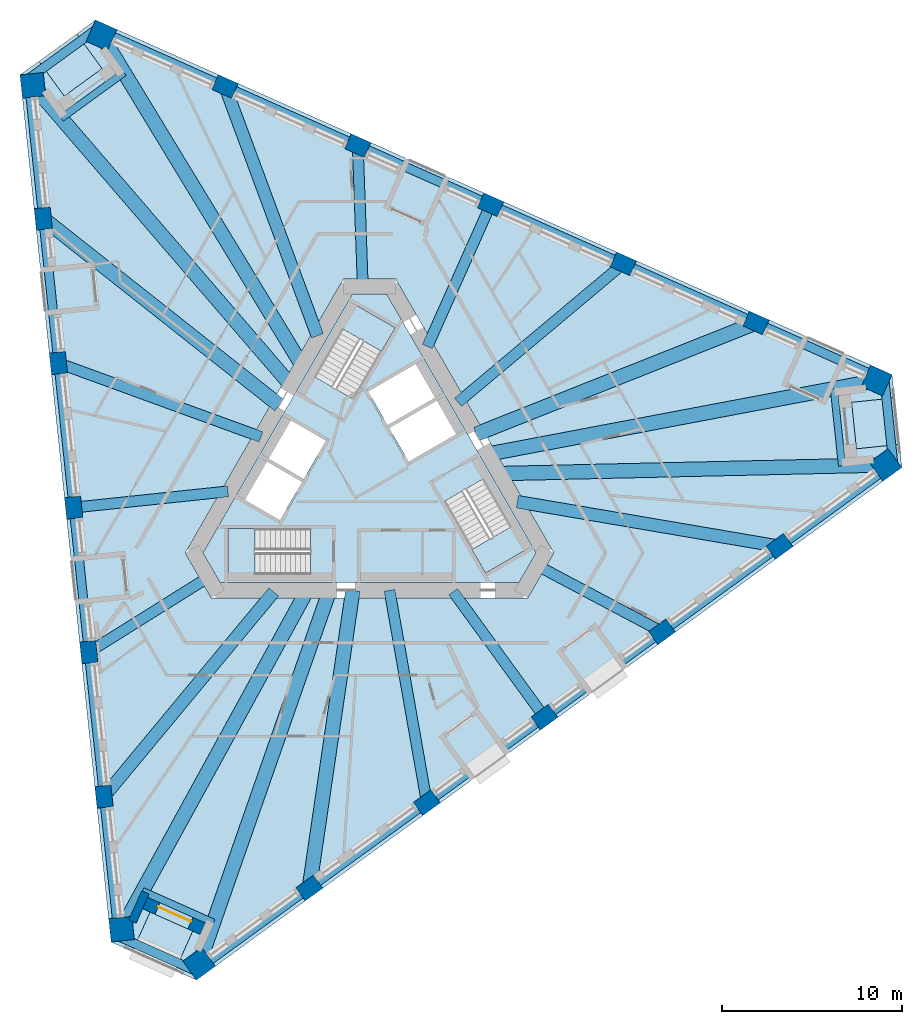
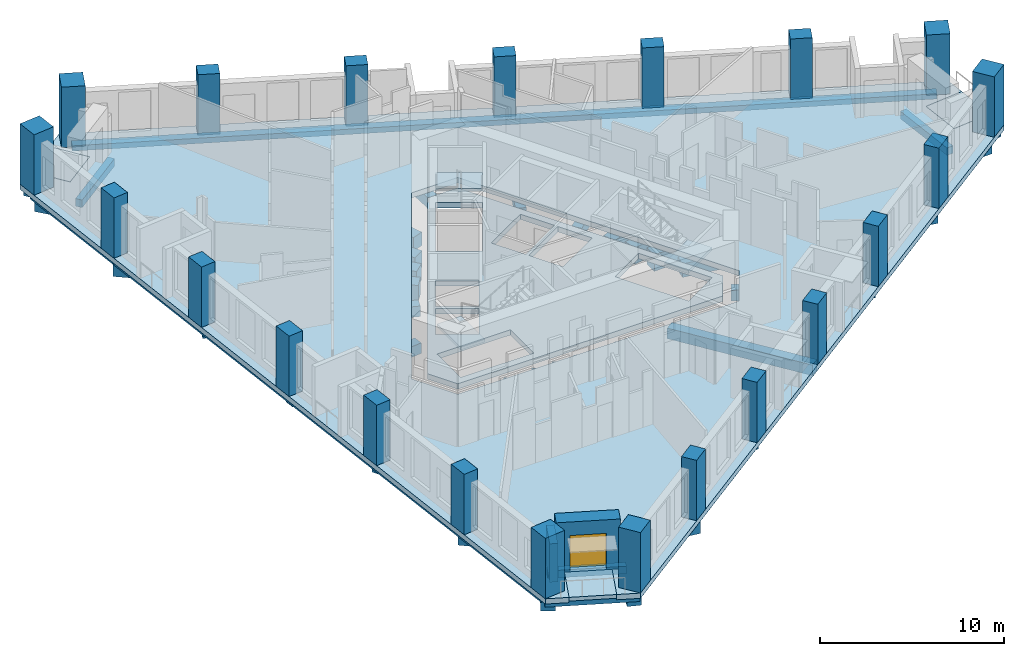
# One storey, part 1 of 14: 30 beams, 21 columns, 8 slabs, 2 walls, 1 door, 1 opening, 3 elements without a shape of their own.
"""IFC4 building model written with IfcOpenShell, lengths in metres."""

from ifc_helpers import new_model, si_unit, direction, frame, frame_2d, origin, origin_2d, place, context, subcontext, project, spatial, polyline, rectangle, outline, extrude, material, layer, layer_set, material_profile, profile_set, type_object, element, fill, aggregate, save


model = new_model("IFC4")

# Units and contexts
model_context = context("Model", 3, precision=1e-05, world=origin(), true_north=direction((0.0, 1.0)))
body_context = subcontext(model_context, "Body", "Model", "MODEL_VIEW")
ifc_project = project(units=[si_unit("LENGTHUNIT", "METRE"), si_unit("AREAUNIT", "SQUARE_METRE"), si_unit("VOLUMEUNIT", "CUBIC_METRE"), si_unit("PLANEANGLEUNIT", "RADIAN"), si_unit("MASSUNIT", "GRAM", prefix="KILO")], contexts=[model_context])

# Site, building, storey
site_placement = place(None, origin())
site = spatial("IfcSite", under=ifc_project, at=site_placement, CompositionType="ELEMENT")
building_placement = place(site_placement, origin())
building = spatial("IfcBuilding", under=site, at=building_placement, Name="Tramontana Tower", CompositionType="ELEMENT")
storey_placement = place(building_placement, frame((0.0, 0.0, 178.800048828125)))
storey = spatial("IfcBuildingStorey", under=building, at=storey_placement, Name="L41", CompositionType="ELEMENT", Elevation=178.800048828125)

# Columns
ifc_material_1 = material(Name="Concrete 55 MPa", Category="concrete")
ifc_material_profile_1 = material_profile(ifc_material_1, rectangle(XDim=1.300048828125, YDim=1.300048828125, at=origin_2d()), Name="Mega column 1300X1300 55 MPa")
ifc_profile_set_1 = profile_set([ifc_material_profile_1], Name="Concrete 55 MPa")
column_type_1 = type_object("IfcColumnType", Name="Mega column 1300X1300 55 MPa", PredefinedType="COLUMN", material=ifc_profile_set_1)
for number, where, z_axis, x_axis, name in (
    (1, (-18.72705078125, 21.760498046875, 0.0), (0.0, 0.0, 1.0), (0.104528463268, -0.994521895368, 0.0), "Mega column C4K1 L41"),
    (2, (-13.793701171875, -25.178466796875, 0.0), (0.0, 0.0, 1.0), (0.104528463268, -0.994521895368, 0.0), "Mega column C4K2 L41"),
    (3, (-9.4814453125, -27.098388671875, 0.0), (0.0, 0.0, 1.0), (0.809016994375, 0.587785252292, 0.0), "Mega column C4K3 L41"),
    (4, (28.7021484375, 0.6435546875, 0.0), (0.0, 0.0, 1.0), (0.809016994375, 0.587785252292, 0.0), "Mega column C4K4 L41"),
    (5, (28.208740234375, 5.337890625, 0.0), (0.0, 0.0, 1.0), (-0.913545457643, 0.406736643076, 0.0), "Mega column C4K5 L41"),
    (6, (-14.908447265625, 24.534912109375, 0.0), (0.0, 0.0, 1.0), (-0.913545457643, 0.406736643076, 0.0), "Mega column C4K6 L41"),
):
    element("IfcColumn", number, at=place(storey_placement, frame(where, z_axis=z_axis, x_axis=x_axis)), inside=storey, type_object=column_type_1, Name=name, PredefinedType="COLUMN", context=body_context, shape_type="SweptSolid", body=[
        extrude(rectangle(XDim=1.300048828125, YDim=1.300048828125, at=origin_2d()), origin(), (0.0, 0.0, 1.0), 4.0),
    ])
ifc_material_2 = material(Name="Concrete 55 MPa", Category="concrete")
ifc_material_profile_2 = material_profile(ifc_material_2, rectangle(XDim=1.199951171875, YDim=0.89990234375, at=origin_2d()), Name="Pier column 1200X900 55 MPa")
ifc_profile_set_2 = profile_set([ifc_material_profile_2], Name="Concrete 55 MPa")
column_type_2 = type_object("IfcColumnType", Name="Pier column 1200X900 55 MPa", PredefinedType="COLUMN", material=ifc_profile_set_2)
for number, where, z_axis, x_axis, name in (
    (7, (-18.149169921875, 14.347412109375, 0.0), (0.0, 0.0, 1.0), (0.104528463268, -0.994521895368, 0.0), "Pier column C4F01 L41"),
    (8, (-17.30419921875, 6.30859375, 0.0), (0.0, 0.0, 1.0), (0.104528463268, -0.994521895368, 0.0), "Pier column C4F02 L41"),
    (9, (-16.459228515625, -1.72998046875, 0.0), (0.0, 0.0, 1.0), (0.104528463268, -0.994521895368, 0.0), "Pier column C4F03 L41"),
    (10, (-15.614501953125, -9.7685546875, 0.0), (0.0, 0.0, 1.0), (0.104528463268, -0.994521895368, 0.0), "Pier column C4F04 L41"),
    (11, (-14.76953125, -17.80712890625, 0.0), (0.0, 0.0, 1.0), (0.104528463268, -0.994521895368, 0.0), "Pier column C4F05 L41"),
    (12, (-3.3505859375, -22.891357421875, 0.0), (0.0, 0.0, 1.0), (0.809016994375, 0.587785252292, 0.0), "Pier column C4F06 L41"),
    (13, (3.188720703125, -18.14013671875, 0.0), (0.0, 0.0, 1.0), (0.809016994375, 0.587785252292, 0.0), "Pier column C4F07 L41"),
    (14, (9.727783203125, -13.38916015625, 0.0), (0.0, 0.0, 1.0), (0.809016994375, 0.587785252292, 0.0), "Pier column C4F08 L41"),
    (15, (16.26708984375, -8.63818359375, 0.0), (0.0, 0.0, 1.0), (0.809016994375, 0.587785252292, 0.0), "Pier column C4F09 L41"),
    (16, (22.80615234375, -3.88720703125, 0.0), (0.0, 0.0, 1.0), (0.809016994375, 0.587785252292, 0.0), "Pier column C4F10 L41"),
    (17, (21.499755859375, 8.5439453125, 0.0), (0.0, 0.0, 1.0), (-0.913545457643, 0.406736643076, 0.0), "Pier column C4F11 L41"),
    (18, (14.115478515625, 11.83154296875, 0.0), (0.0, 0.0, 1.0), (-0.913545457643, 0.406736643076, 0.0), "Pier column C4F12 L41"),
    (19, (6.7314453125, 15.119140625, 0.0), (0.0, 0.0, 1.0), (-0.913545457643, 0.406736643076, 0.0), "Pier column C4F13 L41"),
    (20, (-0.652587890625, 18.40673828125, 0.0), (0.0, 0.0, 1.0), (-0.913545457643, 0.406736643076, 0.0), "Pier column C4F14 L41"),
    (21, (-8.03662109375, 21.6943359375, 0.0), (0.0, 0.0, 1.0), (-0.913545457643, 0.406736643076, 0.0), "Pier column C4F15 L41"),
):
    element("IfcColumn", number, at=place(storey_placement, frame(where, z_axis=z_axis, x_axis=x_axis)), inside=storey, type_object=column_type_2, Name=name, PredefinedType="COLUMN", context=body_context, shape_type="SweptSolid", body=[
        extrude(rectangle(XDim=1.199951171875, YDim=0.89990234375, at=origin_2d()), origin(), (0.0, 0.0, 1.0), 4.0),
    ])

# Beams
ifc_material_3 = material(Name="Concrete 40 MPa", Category="concrete")
ifc_material_profile_3 = material_profile(ifc_material_3, rectangle(XDim=0.5, YDim=0.35009765625, at=origin_2d()), Name="RC EDGE BEAM 500X350 40 MPa")
ifc_profile_set_3 = profile_set([ifc_material_profile_3], Name="Concrete 40 MPa")
beam_type_1 = type_object("IfcBeamType", Name="RC EDGE BEAM 500X350 40 MPa", PredefinedType="SPANDREL", material=ifc_profile_set_3)
for number, where, z_axis, x_axis, name in (
    (22, (-18.926025390625, 21.739501953125, -0.525146484375), (0.104525646884, -0.994522191378, 0.0), (0.994522191378, 0.104525646884, 0.0), "Spandrel beam S0 L41"),
    (23, (-9.364013671875, -27.26025390625, -0.525146484375), (0.809017612716, 0.587784401218, 0.0), (-0.587784401218, 0.809017612716, 0.0), "Spandrel beam S1 L41"),
):
    element("IfcBeam", number, at=place(storey_placement, frame(where, z_axis=z_axis, x_axis=x_axis)), inside=storey, type_object=beam_type_1, Name=name, PredefinedType="SPANDREL", context=body_context, shape_type="SweptSolid", body=[
        extrude(rectangle(XDim=0.5, YDim=0.35009765625, at=origin_2d()), origin(), (0.0, 0.0, 1.0), 47.197509765625),
    ])
beam_1_placement = place(storey_placement, frame((28.2900390625, 5.520751953125, -0.525146484375), z_axis=(-0.913546423332, 0.406734474095, 0.0), x_axis=(-0.406734474095, -0.913546423332, 0.0)))
element("IfcBeam", 24, at=beam_1_placement, inside=storey, type_object=beam_type_1, Name="Spandrel beam S2 L41", PredefinedType="SPANDREL", context=body_context, shape_type="SweptSolid", body=[
    extrude(rectangle(XDim=0.5, YDim=0.35009765625, at=origin_2d()), origin(), (0.0, 0.0, 1.0), 47.197265625),
])
beam_2_placement = place(storey_placement, frame((-14.973388671875, 25.029052734375, -0.525146484375), z_axis=(-0.809008263593, -0.587797268995, 0.0), x_axis=(0.587797268995, -0.809008263593, 0.0)))
element("IfcBeam", 25, at=beam_2_placement, inside=storey, type_object=beam_type_1, Name="Spandrel beam K0 L41", PredefinedType="SPANDREL", context=body_context, shape_type="SweptSolid", body=[
    extrude(rectangle(XDim=0.5, YDim=0.35009765625, at=origin_2d()), origin(), (0.0, 0.0, 1.0), 5.196044921875),
])
for number, where, z_axis, x_axis, name in (
    (26, (-14.189208984375, -25.481689453125, -0.525146484375), (0.91354592127, -0.40673560175, 0.0), (0.40673560175, 0.91354592127, 0.0), "Spandrel beam K1 L41"),
    (27, (29.162353515625, 0.45263671875, -0.525146484375), (-0.104494011766, 0.994525515764, 0.0), (-0.994525515764, -0.104494011766, 0.0), "Spandrel beam K2 L41"),
):
    element("IfcBeam", number, at=place(storey_placement, frame(where, z_axis=z_axis, x_axis=x_axis)), inside=storey, type_object=beam_type_1, Name=name, PredefinedType="SPANDREL", context=body_context, shape_type="SweptSolid", body=[
        extrude(rectangle(XDim=0.5, YDim=0.35009765625, at=origin_2d()), origin(), (0.0, 0.0, 1.0), 5.1962890625),
    ])
ifc_material_4 = material(Name="Concrete 40 MPa", Category="concrete")
ifc_material_profile_4 = material_profile(ifc_material_4, rectangle(XDim=0.60009765625, YDim=0.699951171875, at=origin_2d()), Name="RC GIRDER 600X700 40 MPa")
ifc_profile_set_4 = profile_set([ifc_material_profile_4], Name="Concrete 40 MPa")
beam_type_2 = type_object("IfcBeamType", Name="RC GIRDER 600X700 40 MPa", PredefinedType="BEAM", material=ifc_profile_set_4)
beam_3_placement = place(storey_placement, frame((-17.30419921875, 6.30859375, -0.699951171875), z_axis=(0.939513090247, -0.342512997205, 0.0), x_axis=(0.342512997205, 0.939513090247, 0.0)))
element("IfcBeam", 28, at=beam_3_placement, inside=storey, type_object=beam_type_2, Name="Radial girder C4F02 L41", PredefinedType="BEAM", context=body_context, shape_type="SweptSolid", body=[
    extrude(rectangle(XDim=0.60009765625, YDim=0.699951171875, at=origin_2d()), origin(), (0.0, 0.0, 1.0), 11.989990234375),
])
beam_4_placement = place(storey_placement, frame((-16.459228515625, -1.72998046875, -0.699951171875), z_axis=(0.994520630985, 0.104540492367, 0.0), x_axis=(-0.104540492367, 0.994520630985, 0.0)))
element("IfcBeam", 29, at=beam_4_placement, inside=storey, type_object=beam_type_2, Name="Radial girder C4F03 L41", PredefinedType="BEAM", context=body_context, shape_type="SweptSolid", body=[
    extrude(rectangle(XDim=0.60009765625, YDim=0.699951171875, at=origin_2d()), origin(), (0.0, 0.0, 1.0), 8.631591796875),
])
beam_5_placement = place(storey_placement, frame((-15.614501953125, -9.7685546875, -0.699951171875), z_axis=(0.847767192537, 0.530368539091, 0.0), x_axis=(-0.530368539091, 0.847767192537, 0.0)))
element("IfcBeam", 30, at=beam_5_placement, inside=storey, type_object=beam_type_2, Name="Radial girder C4F04 L41", PredefinedType="BEAM", context=body_context, shape_type="SweptSolid", body=[
    extrude(rectangle(XDim=0.60009765625, YDim=0.699951171875, at=origin_2d()), origin(), (0.0, 0.0, 1.0), 7.83642578125),
])
beam_6_placement = place(storey_placement, frame((3.188720703125, -18.14013671875, -0.699951171875), z_axis=(-0.173139447083, 0.984897320467, 0.0), x_axis=(-0.984897320467, -0.173139447083, 0.0)))
element("IfcBeam", 31, at=beam_6_placement, inside=storey, type_object=beam_type_2, Name="Radial girder C4F07 L41", PredefinedType="BEAM", context=body_context, shape_type="SweptSolid", body=[
    extrude(rectangle(XDim=0.60009765625, YDim=0.699951171875, at=origin_2d()), origin(), (0.0, 0.0, 1.0), 11.989990234375),
])
beam_7_placement = place(storey_placement, frame((9.727783203125, -13.38916015625, -0.699951171875), z_axis=(-0.587793224159, 0.809011202415, 0.0), x_axis=(-0.809011202415, -0.587793224159, 0.0)))
element("IfcBeam", 32, at=beam_7_placement, inside=storey, type_object=beam_type_2, Name="Radial girder C4F08 L41", PredefinedType="BEAM", context=body_context, shape_type="SweptSolid", body=[
    extrude(rectangle(XDim=0.60009765625, YDim=0.699951171875, at=origin_2d()), origin(), (0.0, 0.0, 1.0), 8.63134765625),
])
beam_8_placement = place(storey_placement, frame((16.26708984375, -8.63818359375, -0.699951171875), z_axis=(-0.883198396805, 0.468999564905, 0.0), x_axis=(-0.468999564905, -0.883198396805, 0.0)))
element("IfcBeam", 33, at=beam_8_placement, inside=storey, type_object=beam_type_2, Name="Radial girder C4F09 L41", PredefinedType="BEAM", context=body_context, shape_type="SweptSolid", body=[
    extrude(rectangle(XDim=0.60009765625, YDim=0.699951171875, at=origin_2d()), origin(), (0.0, 0.0, 1.0), 7.83642578125),
])
beam_9_placement = place(storey_placement, frame((14.115478515625, 11.83154296875, -0.699951171875), z_axis=(-0.766377147971, -0.642390898961, 0.0), x_axis=(0.642390898961, -0.766377147971, 0.0)))
element("IfcBeam", 34, at=beam_9_placement, inside=storey, type_object=beam_type_2, Name="Radial girder C4F12 L41", PredefinedType="BEAM", context=body_context, shape_type="SweptSolid", body=[
    extrude(rectangle(XDim=0.60009765625, YDim=0.699951171875, at=origin_2d()), origin(), (0.0, 0.0, 1.0), 11.98974609375),
])
beam_10_placement = place(storey_placement, frame((6.7314453125, 15.119140625, -0.699951171875), z_axis=(-0.406736735655, -0.913545416424, 0.0), x_axis=(0.913545416424, -0.406736735655, 0.0)))
element("IfcBeam", 35, at=beam_10_placement, inside=storey, type_object=beam_type_2, Name="Radial girder C4F13 L41", PredefinedType="BEAM", context=body_context, shape_type="SweptSolid", body=[
    extrude(rectangle(XDim=0.60009765625, YDim=0.699951171875, at=origin_2d()), origin(), (0.0, 0.0, 1.0), 8.631591796875),
])
beam_11_placement = place(storey_placement, frame((-0.652587890625, 18.40673828125, -0.699951171875), z_axis=(0.035422608777, -0.999372422467, 0.0), x_axis=(0.999372422467, 0.035422608777, 0.0)))
element("IfcBeam", 36, at=beam_11_placement, inside=storey, type_object=beam_type_2, Name="Radial girder C4F14 L41", PredefinedType="BEAM", context=body_context, shape_type="SweptSolid", body=[
    extrude(rectangle(XDim=0.60009765625, YDim=0.699951171875, at=origin_2d()), origin(), (0.0, 0.0, 1.0), 7.83642578125),
])
ifc_material_5 = material(Name="Concrete 40 MPa", Category="concrete")
ifc_material_profile_5 = material_profile(ifc_material_5, rectangle(XDim=0.699951171875, YDim=0.89990234375, at=origin_2d()), Name="RC GIRDER 700X900 40 MPa")
ifc_profile_set_5 = profile_set([ifc_material_profile_5], Name="Concrete 40 MPa")
beam_type_3 = type_object("IfcBeamType", Name="RC GIRDER 700X900 40 MPa", PredefinedType="BEAM", material=ifc_profile_set_5)
for number, where, z_axis, x_axis, name in (
    (37, (-14.76953125, -17.80712890625, -0.800048828125), (0.638406477844, 0.769699401745, 0.0), (-0.769699401745, 0.638406477844, 0.0), "Radial girder C4F05 L41"),
    (38, (22.806396484375, -3.88720703125, -0.800048828125), (-0.985783673381, 0.168019490821, 0.0), (-0.168019490821, -0.985783673381, 0.0), "Radial girder C4F10 L41"),
    (39, (-8.03662109375, 21.6943359375, -0.800048828125), (0.347381556139, -0.93772386898, 0.0), (0.93772386898, 0.347381556139, 0.0), "Radial girder C4F15 L41"),
):
    element("IfcBeam", number, at=place(storey_placement, frame(where, z_axis=z_axis, x_axis=x_axis)), inside=storey, type_object=beam_type_3, Name=name, PredefinedType="BEAM", context=body_context, shape_type="SweptSolid", body=[
        extrude(rectangle(XDim=0.699951171875, YDim=0.89990234375, at=origin_2d()), origin(), (0.0, 0.0, 1.0), 14.79052734375),
    ])
ifc_material_6 = material(Name="Concrete 40 MPa", Category="concrete")
ifc_material_profile_6 = material_profile(ifc_material_6, rectangle(XDim=0.800048828125, YDim=1.10009765625, at=origin_2d()), Name="RC GIRDER 800X1100 40 MPa")
ifc_profile_set_6 = profile_set([ifc_material_profile_6], Name="Concrete 40 MPa")
beam_type_4 = type_object("IfcBeamType", Name="RC GIRDER 800X1100 40 MPa", PredefinedType="BEAM", material=ifc_profile_set_6)
beam_12_placement = place(storey_placement, frame((-18.727294921875, 21.760498046875, -0.900146484375), z_axis=(0.652300085393, -0.757960816004, 0.0), x_axis=(0.757960816004, 0.652300085393, 0.0)))
element("IfcBeam", 40, at=beam_12_placement, inside=storey, type_object=beam_type_4, Name="Radial girder C4K1 L41", PredefinedType="BEAM", context=body_context, shape_type="SweptSolid", body=[
    extrude(rectangle(XDim=0.800048828125, YDim=1.10009765625, at=origin_2d()), origin(), (0.0, 0.0, 1.0), 21.983154296875),
])
beam_13_placement = place(storey_placement, frame((-18.149169921875, 14.347412109375, -0.900146484375), z_axis=(0.784478628915, -0.620155852005, 0.0), x_axis=(0.620155852005, 0.784478628915, 0.0)))
element("IfcBeam", 41, at=beam_13_placement, inside=storey, type_object=beam_type_4, Name="Radial girder C4F01 L41", PredefinedType="BEAM", context=body_context, shape_type="SweptSolid", body=[
    extrude(rectangle(XDim=0.800048828125, YDim=1.10009765625, at=origin_2d()), origin(), (0.0, 0.0, 1.0), 16.73828125),
])
beam_14_placement = place(storey_placement, frame((-13.793701171875, -25.178466796875, -0.900146484375), z_axis=(0.480462301802, 0.877015379881, 0.0), x_axis=(-0.877015379881, 0.480462301802, 0.0)))
element("IfcBeam", 42, at=beam_14_placement, inside=storey, type_object=beam_type_4, Name="Radial girder C4K2 L41", PredefinedType="BEAM", context=body_context, shape_type="SweptSolid", body=[
    extrude(rectangle(XDim=0.800048828125, YDim=1.10009765625, at=origin_2d()), origin(), (0.0, 0.0, 1.0), 21.437744140625),
])
beam_15_placement = place(storey_placement, frame((-9.4814453125, -27.098388671875, -0.900146484375), z_axis=(0.330256430983, 0.943891248924, 0.0), x_axis=(-0.943891248924, 0.330256430983, 0.0)))
element("IfcBeam", 43, at=beam_15_placement, inside=storey, type_object=beam_type_4, Name="Radial girder C4K3 L41", PredefinedType="BEAM", context=body_context, shape_type="SweptSolid", body=[
    extrude(rectangle(XDim=0.800048828125, YDim=1.10009765625, at=origin_2d()), origin(), (0.0, 0.0, 1.0), 21.98291015625),
])
beam_16_placement = place(storey_placement, frame((-3.3505859375, -22.891357421875, -0.900146484375), z_axis=(0.144822515675, 0.989457648893, 0.0), x_axis=(-0.989457648893, 0.144822515675, 0.0)))
element("IfcBeam", 44, at=beam_16_placement, inside=storey, type_object=beam_type_4, Name="Radial girder C4F06 L41", PredefinedType="BEAM", context=body_context, shape_type="SweptSolid", body=[
    extrude(rectangle(XDim=0.800048828125, YDim=1.10009765625, at=origin_2d()), origin(), (0.0, 0.0, 1.0), 16.73828125),
])
beam_17_placement = place(storey_placement, frame((28.701904296875, 0.6435546875, -0.900146484375), z_axis=(-0.999748807881, -0.022412521973, 0.0), x_axis=(0.022412521973, -0.999748807881, 0.0)))
element("IfcBeam", 45, at=beam_17_placement, inside=storey, type_object=beam_type_4, Name="Radial girder C4K4 L41", PredefinedType="BEAM", context=body_context, shape_type="SweptSolid", body=[
    extrude(rectangle(XDim=0.800048828125, YDim=1.10009765625, at=origin_2d()), origin(), (0.0, 0.0, 1.0), 21.4375),
])
beam_18_placement = place(storey_placement, frame((28.20849609375, 5.337890625, -0.900146484375), z_axis=(-0.982562021037, -0.185935136045, 0.0), x_axis=(0.185935136045, -0.982562021037, 0.0)))
element("IfcBeam", 46, at=beam_18_placement, inside=storey, type_object=beam_type_4, Name="Radial girder C4K5 L41", PredefinedType="BEAM", context=body_context, shape_type="SweptSolid", body=[
    extrude(rectangle(XDim=0.800048828125, YDim=1.10009765625, at=origin_2d()), origin(), (0.0, 0.0, 1.0), 21.98291015625),
])
beam_19_placement = place(storey_placement, frame((21.499755859375, 8.5439453125, -0.900146484375), z_axis=(-0.929307244414, -0.369307521558, 0.0), x_axis=(0.369307521558, -0.929307244414, 0.0)))
element("IfcBeam", 47, at=beam_19_placement, inside=storey, type_object=beam_type_4, Name="Radial girder C4F11 L41", PredefinedType="BEAM", context=body_context, shape_type="SweptSolid", body=[
    extrude(rectangle(XDim=0.800048828125, YDim=1.10009765625, at=origin_2d()), origin(), (0.0, 0.0, 1.0), 16.738525390625),
])
beam_20_placement = place(storey_placement, frame((-14.908447265625, 24.534912109375, -0.900146484375), z_axis=(0.519297566275, -0.854593492639, 0.0), x_axis=(0.854593492639, 0.519297566275, 0.0)))
element("IfcBeam", 48, at=beam_20_placement, inside=storey, type_object=beam_type_4, Name="Radial girder C4K6 L41", PredefinedType="BEAM", context=body_context, shape_type="SweptSolid", body=[
    extrude(rectangle(XDim=0.800048828125, YDim=1.10009765625, at=origin_2d()), origin(), (0.0, 0.0, 1.0), 21.437744140625),
])
ifc_material_7 = material(Name="Concrete 40 MPa", Category="concrete")
ifc_material_profile_7 = material_profile(ifc_material_7, rectangle(XDim=0.39990234375, YDim=0.5, at=origin_2d()), Name="RC TRIM BEAM 400X500 40 MPa")
ifc_profile_set_7 = profile_set([ifc_material_profile_7], Name="Concrete 40 MPa")
beam_type_5 = type_object("IfcBeamType", Name="RC TRIM BEAM 400X500 40 MPa", PredefinedType="JOIST", material=ifc_profile_set_7)
for number, where, z_axis, x_axis, name in (
    (49, (-13.651611328125, 22.466552734375, -0.60009765625), (-0.808997350037, -0.587812289453, 0.0), (0.587812289453, -0.808997350037, 0.0), "Trimmer beam K0 L41"),
    (50, (-12.630859375, -23.055908203125, -0.60009765625), (0.913548159873, -0.406730573714, 0.0), (0.406730573714, 0.913548159873, 0.0), "Trimmer beam K1 L41"),
):
    element("IfcBeam", number, at=place(storey_placement, frame(where, z_axis=z_axis, x_axis=x_axis)), inside=storey, type_object=beam_type_5, Name=name, PredefinedType="JOIST", context=body_context, shape_type="SweptSolid", body=[
        extrude(rectangle(XDim=0.39990234375, YDim=0.5, at=origin_2d()), origin(), (0.0, 0.0, 1.0), 4.322509765625),
    ])
beam_21_placement = place(storey_placement, frame((26.282470703125, 0.58935546875, -0.60009765625), z_axis=(-0.104552471013, 0.99451937176, 0.0), x_axis=(-0.99451937176, -0.104552471013, 0.0)))
element("IfcBeam", 51, at=beam_21_placement, inside=storey, type_object=beam_type_5, Name="Trimmer beam K2 L41", PredefinedType="JOIST", context=body_context, shape_type="SweptSolid", body=[
    extrude(rectangle(XDim=0.39990234375, YDim=0.5, at=origin_2d()), origin(), (0.0, 0.0, 1.0), 4.322265625),
])

# Slabs
ifc_material_8 = material(Name="Precast concrete 50 MPa", Category="concrete")
ifc_layer_1 = layer(ifc_material_8, 0.25)
ifc_layer_set_1 = layer_set([ifc_layer_1], Name="LT1 Loggia floor tray 250")
slab_type_1 = type_object("IfcSlabType", Name="LT1 Loggia floor tray 250", PredefinedType="FLOOR", material=ifc_layer_set_1)
slab_1_placement = place(storey_placement, frame((0.0, 0.0, -0.25)))
element("IfcSlab", 52, at=slab_1_placement, inside=storey, type_object=slab_type_1, Name="Corner loggia floor L41 K40", PredefinedType="FLOOR", context=body_context, shape_type="SweptSolid", body=[
    extrude(outline(polyline([(-16.287841796875, 24.630126953125), (-14.877197265625, 22.6884765625), (-16.980712890625, 21.16015625), (-18.391357421875, 23.101806640625), (-16.287841796875, 24.630126953125)])), origin(), (0.0, 0.0, 1.0), 0.25),
])
slab_2_placement = place(storey_placement, frame((0.0, 0.0, -0.25)))
element("IfcSlab", 53, at=slab_2_placement, inside=storey, type_object=slab_type_1, Name="Corner loggia floor L41 K41", PredefinedType="FLOOR", context=body_context, shape_type="SweptSolid", body=[
    extrude(outline(polyline([(-13.186279296875, -26.4208984375), (-12.210205078125, -24.228271484375), (-9.8349609375, -25.285888671875), (-10.81103515625, -27.478271484375), (-13.186279296875, -26.4208984375)])), origin(), (0.0, 0.0, 1.0), 0.25),
])
slab_3_placement = place(storey_placement, frame((0.0, 0.0, -0.25)))
element("IfcSlab", 54, at=slab_3_placement, inside=storey, type_object=slab_type_1, Name="Corner loggia floor L41 K42", PredefinedType="FLOOR", context=body_context, shape_type="SweptSolid", body=[
    extrude(outline(polyline([(29.474365234375, 1.790771484375), (27.08740234375, 1.539794921875), (26.815673828125, 4.12548828125), (29.202392578125, 4.37646484375), (29.474365234375, 1.790771484375)])), origin(), (0.0, 0.0, 1.0), 0.25),
])
ifc_material_9 = material(Name="Concrete 40 MPa", Category="concrete")
ifc_layer_2 = layer(ifc_material_9, 0.35009765625)
ifc_layer_set_2 = layer_set([ifc_layer_2], Name="PT FLAT SLAB 350 40 MPa")
slab_type_2 = type_object("IfcSlabType", Name="PT FLAT SLAB 350 40 MPa", PredefinedType="FLOOR", material=ifc_layer_set_2)
slab_4_placement = place(storey_placement, frame((0.0, 0.0, -0.35009765625)))
element("IfcSlab", 55, at=slab_4_placement, inside=storey, type_object=slab_type_2, Name="Floor slab L41", PredefinedType="FLOOR", context=body_context, shape_type="SweptSolid", body=[
    extrude(outline(polyline([(29.202392578125, 4.37646484375), (26.815673828125, 4.12548828125), (27.08740234375, 1.539794921875), (29.474365234375, 1.790771484375), (29.610107421875, 0.499755859375), (-9.625244140625, -28.00634765625), (-10.81103515625, -27.478271484375), (-9.8349609375, -25.285888671875), (-12.210205078125, -24.228271484375), (-13.186279296875, -26.4208984375), (-14.372314453125, -25.892822265625), (-19.441650390625, 22.3388671875), (-18.391357421875, 23.101806640625), (-16.980712890625, 21.16015625), (-14.877197265625, 22.6884765625), (-16.287841796875, 24.630126953125), (-15.23779296875, 25.39306640625), (29.06689453125, 5.66748046875), (29.202392578125, 4.37646484375)]), holes=[polyline([(-10.248046875, -4.25), (-8.8046875, -6.75), (8.8046875, -6.75), (10.248046875, -4.25), (1.443359375, 11.0), (-1.443359375, 11.0), (-10.248046875, -4.25)])]), origin(), (0.0, 0.0, 1.0), 0.35009765625),
])
slab_5_placement = place(storey_placement, frame((0.0, 0.0, -0.35009765625)))
element("IfcSlab", 56, at=slab_5_placement, inside=storey, type_object=slab_type_2, Name="Core floor slab L41", PredefinedType="FLOOR", context=body_context, shape_type="SweptSolid", body=[
    extrude(outline(polyline([(9.2666015625, -4.25), (8.313720703125, -5.89990234375), (-8.313720703125, -5.89990234375), (-9.2666015625, -4.25), (-0.95263671875, 10.14990234375), (0.95263671875, 10.14990234375), (9.2666015625, -4.25)]), holes=[polyline([(8.659912109375, -4.099365234375), (6.35986328125, -0.115478515625), (4.151611328125, -1.390625), (6.451416015625, -5.374267578125), (8.659912109375, -4.099365234375)]), polyline([(3.829833984375, 4.2666015625), (1.101806640625, 2.69140625), (2.177001953125, 0.82958984375), (4.90478515625, 2.404541015625), (3.829833984375, 4.2666015625)]), polyline([(2.65478515625, 6.3017578125), (-0.072998046875, 4.726806640625), (1.001953125, 2.86474609375), (3.729736328125, 4.439697265625), (2.65478515625, 6.3017578125)]), polyline([(-0.77978515625, 9.54931640625), (-3.079833984375, 5.565673828125), (-0.87158203125, 4.29052734375), (1.428466796875, 8.2744140625), (-0.77978515625, 9.54931640625)]), polyline([(-5.689697265625, 1.044921875), (-3.65478515625, -0.130126953125), (-2.4296875, 1.99169921875), (-4.46484375, 3.166748046875), (-5.689697265625, 1.044921875)]), polyline([(-3.280029296875, -5.449951171875), (-3.280029296875, -2.89990234375), (-7.8798828125, -2.89990234375), (-7.8798828125, -5.449951171875), (-3.280029296875, -5.449951171875)]), polyline([(-7.014892578125, -1.25), (-4.979736328125, -2.425048828125), (-3.754638671875, -0.30322265625), (-5.789794921875, 0.87158203125), (-7.014892578125, -1.25)])]), origin(), (0.0, 0.0, 1.0), 0.35009765625),
])

# Stair, slab
ifc_material_10 = material(Name="Concrete 40 MPa", Category="concrete")
stair_type = type_object("IfcStairType", Name="EXIT STAIR 24 RISERS", PredefinedType="HALF_TURN_STAIR", material=ifc_material_10)
stair_1_placement = place(storey_placement, origin())
stair_1 = element("IfcStair", 57, at=stair_1_placement, inside=storey, type_object=stair_type, Name="L41 Exit stair ST1", PredefinedType="HALF_TURN_STAIR")
ifc_material_11 = material(Name="Concrete 40 MPa", Category="concrete")
ifc_layer_3 = layer(ifc_material_11, 0.199951171875)
ifc_layer_set_3 = layer_set([ifc_layer_3], Name="STAIR LANDING 200")
slab_type_3 = type_object("IfcSlabType", Name="STAIR LANDING 200", PredefinedType="LANDING", material=ifc_layer_set_3)
slab_6_placement = place(storey_placement, frame((0.0, 0.0, 1.800048828125)))
slab_6 = element("IfcSlab", 58, at=slab_6_placement, type_object=slab_type_3, Name="ST1 landing 1", PredefinedType="LANDING", context=body_context, shape_type="SweptSolid", body=[
    extrude(outline(polyline([(0.66845703125, 6.9580078125), (1.428466796875, 8.274169921875), (-0.77978515625, 9.54931640625), (-1.539794921875, 8.23291015625), (0.66845703125, 6.9580078125)])), origin(), (0.0, 0.0, 1.0), 0.199951171875),
])
aggregate(stair_1, [slab_6])

stair_2_placement = place(storey_placement, origin())
stair_2 = element("IfcStair", 59, at=stair_2_placement, inside=storey, type_object=stair_type, Name="L41 Exit stair ST2", PredefinedType="HALF_TURN_STAIR")
slab_7_placement = place(storey_placement, frame((0.0, 0.0, 1.800048828125)))
slab_7 = element("IfcSlab", 60, at=slab_7_placement, type_object=slab_type_3, Name="ST2 landing 1", PredefinedType="LANDING", context=body_context, shape_type="SweptSolid", body=[
    extrude(outline(polyline([(-6.360107421875, -2.89990234375), (-7.8798828125, -2.89990234375), (-7.8798828125, -5.449951171875), (-6.360107421875, -5.449951171875), (-6.360107421875, -2.89990234375)])), origin(), (0.0, 0.0, 1.0), 0.199951171875),
])
aggregate(stair_2, [slab_7])

stair_3_placement = place(storey_placement, origin())
stair_3 = element("IfcStair", 61, at=stair_3_placement, inside=storey, type_object=stair_type, Name="L41 Exit stair ST3", PredefinedType="HALF_TURN_STAIR")
slab_8_placement = place(storey_placement, frame((0.0, 0.0, 1.800048828125)))
slab_8 = element("IfcSlab", 62, at=slab_8_placement, type_object=slab_type_3, Name="ST3 landing 1", PredefinedType="LANDING", context=body_context, shape_type="SweptSolid", body=[
    extrude(outline(polyline([(5.69140625, -4.057861328125), (6.451416015625, -5.374267578125), (8.659912109375, -4.099365234375), (7.89990234375, -2.782958984375), (5.69140625, -4.057861328125)])), origin(), (0.0, 0.0, 1.0), 0.199951171875),
])
aggregate(stair_3, [slab_8])

# Wall
ifc_material_12 = material(Name="Precast concrete 60 MPa", Category="concrete")
ifc_layer_4 = layer(ifc_material_12, 0.449951171875)
ifc_layer_set_4 = layer_set([ifc_layer_4], Name="Precast concrete 60 MPa, 450 mm")
wall_type_1 = type_object("IfcWallType", Name="EW1 Stone-faced precast wall 450", PredefinedType="SOLIDWALL", material=ifc_layer_set_4)
wall_1_placement = place(storey_placement, frame((-13.184326171875, -24.757080078125, 0.0), z_axis=(0.0, 0.0, 1.0), x_axis=(0.406698557215, 0.913562413609, 0.0)))
element("IfcWall", 63, at=wall_1_placement, inside=storey, type_object=wall_type_1, Name="Corner loggia side wall L41 K41r", PredefinedType="SOLIDWALL", context=body_context, shape_type="SweptSolid", body=[
    extrude(rectangle(XDim=1.779296875, YDim=0.449951171875, at=frame_2d((0.8896484375, 0.0))), origin(), (0.0, 0.0, 1.0), 2.550048828125),
])

# Wall, opening, door
ifc_material_13 = material(Name="Precast concrete 60 MPa", Category="concrete")
ifc_layer_5 = layer(ifc_material_13, 0.89990234375)
ifc_layer_set_5 = layer_set([ifc_layer_5], Name="EW2 Stone-faced corner loggia wall 900")
wall_type_2 = type_object("IfcWallType", Name="EW2 Stone-faced corner loggia wall 900", PredefinedType="SOLIDWALL", material=ifc_layer_set_5)
wall_2_placement = place(storey_placement, frame((-9.24072265625, -25.057861328125, 0.0), z_axis=(0.0, 0.0, 1.0), x_axis=(-0.913549606868, 0.406727323635, 0.0)))
wall_2 = element("IfcWall", 64, at=wall_2_placement, inside=storey, type_object=wall_type_2, Name="Corner loggia wall L41 K41", PredefinedType="SOLIDWALL", context=body_context, shape_type="SweptSolid", body=[
    extrude(rectangle(XDim=3.5, YDim=0.89990234375, at=frame_2d((1.75, 0.0))), origin(), (0.0, 0.0, 1.0), 3.300048828125),
])
opening_placement = place(wall_2_placement, frame((0.75, 0.0, 0.0)))
opening = element("IfcOpeningElement", 65, at=opening_placement, cuts=wall_2, Name="Opening BD-41C", PredefinedType="OPENING", context=body_context, shape_type="SweptSolid", body=[
    extrude(rectangle(XDim=2.0, YDim=2.39990234375, at=frame_2d((1.0, 1.199951171875))), frame((0.0, 0.4599609375, 0.0), z_axis=(0.0, -1.0, 0.0), x_axis=(1.0, 0.0, 0.0)), (0.0, 0.0, 1.0), 0.919921875),
])
ifc_material_14 = material(Name="Aluminum frame, double glazing unit", Category="aluminium")
door_type = type_object("IfcDoorType", Name="BC1 Sliding door 2 x 2.4", OperationType="SLIDING_TO_LEFT", PredefinedType="DOOR", material=ifc_material_14)
door_placement = place(opening_placement, origin())
door = element("IfcDoor", 66, at=door_placement, inside=storey, type_object=door_type, Name="Corner loggia door L41 K41", OperationType="SLIDING_TO_LEFT", OverallHeight=2.39990234375, OverallWidth=2.0, PredefinedType="DOOR", context=body_context, shape_type="SweptSolid", body=[
    extrude(rectangle(XDim=2.0, YDim=2.39990234375, at=frame_2d((1.0, 1.199951171875))), frame((0.0, 0.02490234375, 0.0), z_axis=(0.0, -1.0, 0.0), x_axis=(1.0, 0.0, 0.0)), (0.0, 0.0, 1.0), 0.050048828125),
])
fill(opening, door)

save(model, "model.ifc")
